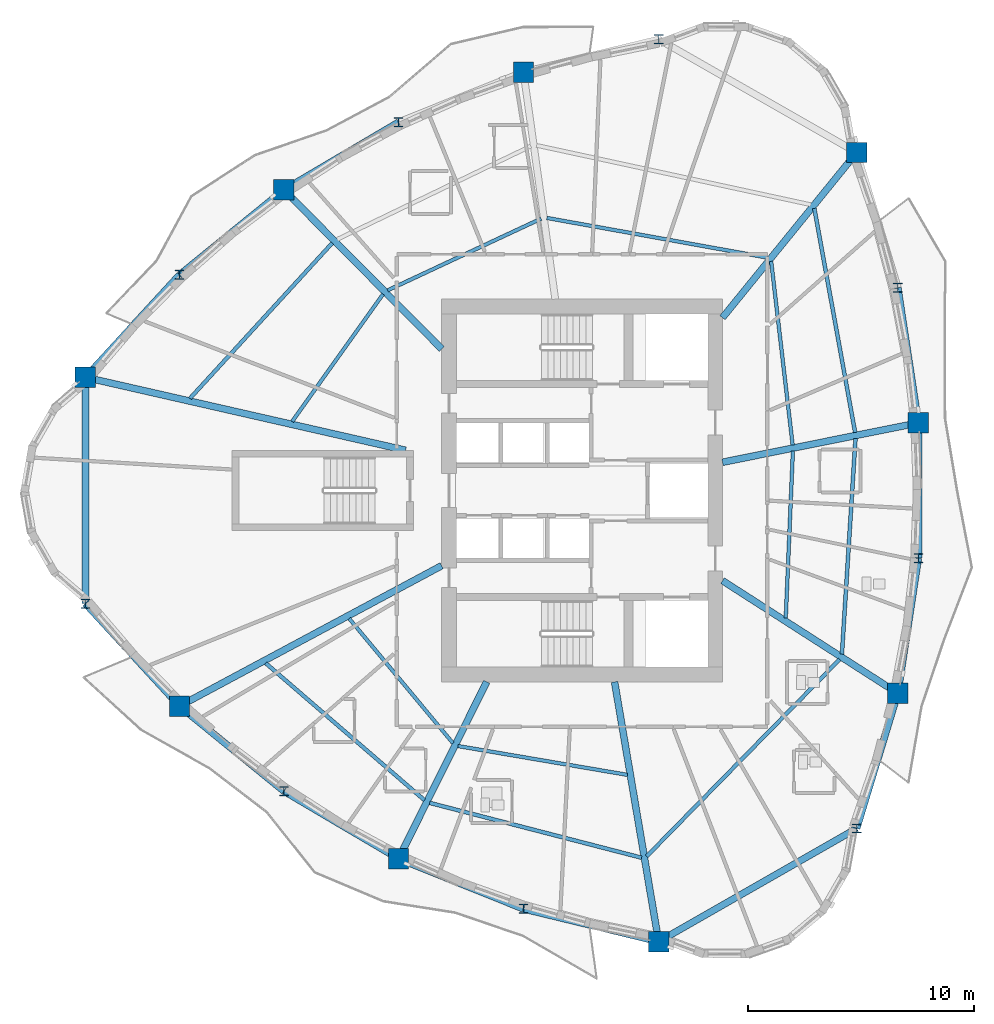
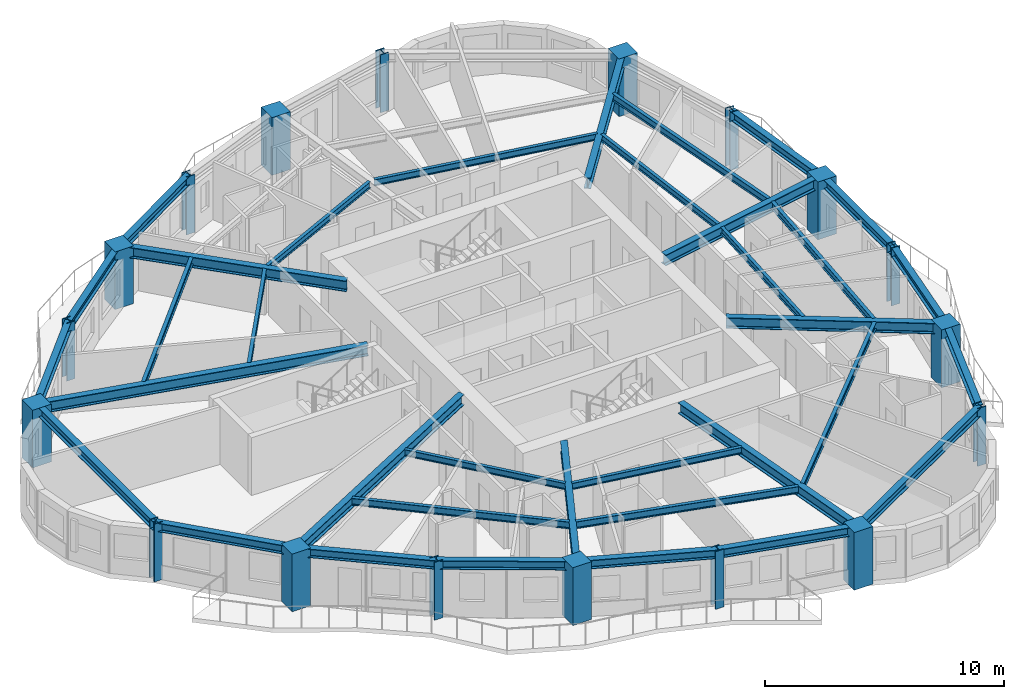
# One storey, part 1 of 13: 35 beams, 18 columns.
"""IFC4 building model written with IfcOpenShell, lengths in metres."""

from ifc_helpers import new_model, si_unit, direction, frame, origin, origin_2d, place, context, subcontext, project, spatial, rectangle, i_section, extrude, source, transform, mapped, material, material_profile, profile_set, type_object, element, save


model = new_model("IFC4")

# Units and contexts
model_context = context("Model", 3, precision=1e-05, world=origin(), true_north=direction((0.0, 1.0)))
body_context = subcontext(model_context, "Body", "Model", "MODEL_VIEW")
ifc_project = project(units=[si_unit("LENGTHUNIT", "METRE"), si_unit("AREAUNIT", "SQUARE_METRE"), si_unit("VOLUMEUNIT", "CUBIC_METRE"), si_unit("PLANEANGLEUNIT", "RADIAN"), si_unit("MASSUNIT", "GRAM", prefix="KILO")], contexts=[model_context])

# Site, building, storey
site_placement = place(None, origin())
site = spatial("IfcSite", under=ifc_project, at=site_placement, CompositionType="ELEMENT")
building_placement = place(site_placement, origin())
building = spatial("IfcBuilding", under=site, at=building_placement, Name="Qafzar Sky-Pleat Residences", CompositionType="ELEMENT")
storey_placement = place(building_placement, frame((0.0, 0.0, 102.39990234375)))
storey = spatial("IfcBuildingStorey", under=building, at=storey_placement, Name="L30", CompositionType="ELEMENT", Elevation=102.39990234375)

# Columns
ifc_material_1 = material(Name="Concrete C60/75", Category="concrete")
ifc_material_profile_1 = material_profile(ifc_material_1, rectangle(XDim=0.89990234375, YDim=0.89990234375, at=origin_2d()), Name="RC 900x900")
ifc_profile_set_1 = profile_set([ifc_material_profile_1], Name="Concrete C60/75")
column_type_1 = type_object("IfcColumnType", Name="COL-RC-900", PredefinedType="COLUMN", material=ifc_profile_set_1)
shared_shape_1 = source(origin(), body_context, "Body", "SweptSolid", [
    extrude(rectangle(XDim=0.89990234375, YDim=0.89990234375, at=origin_2d()), origin(), (0.0, 0.0, 1.0), 2.9501953125),
])
for number, where, z_axis, x_axis, name in (
    (1, (8.41943359375, 30.996337890625, 0.0), (0.0, 0.0, 1.0), (1.0, 0.0, 0.0), "L30 Perimeter Mega Column 1"),
    (2, (12.57470703125, 16.47998046875, 0.0), (0.0, 0.0, 1.0), (1.0, 0.0, 0.0), "L30 Perimeter Mega Column 3"),
    (3, (22.245849609375, 9.7412109375, 0.0), (0.0, 0.0, 1.0), (1.0, 0.0, 0.0), "L30 Perimeter Mega Column 5"),
    (4, (33.731689453125, 6.080322265625, 0.0), (0.0, 0.0, 1.0), (1.0, 0.0, 0.0), "L30 Perimeter Mega Column 7"),
    (5, (44.292236328125, 17.0458984375, 0.0), (0.0, 0.0, 1.0), (1.0, 0.0, 0.0), "L30 Perimeter Mega Column 9"),
    (6, (45.199462890625, 28.984619140625, 0.0), (0.0, 0.0, 1.0), (1.0, 0.0, 0.0), "L30 Perimeter Mega Column 11"),
    (7, (42.4775390625, 40.92333984375, 0.0), (0.0, 0.0, 1.0), (1.0, 0.0, 0.0), "L30 Perimeter Mega Column 13"),
    (8, (27.761962890625, 44.473876953125, 0.0), (0.0, 0.0, 1.0), (1.0, 0.0, 0.0), "L30 Perimeter Mega Column 15"),
    (9, (17.18359375, 39.274169921875, 0.0), (0.0, 0.0, 1.0), (1.0, 0.0, 0.0), "L30 Perimeter Mega Column 17"),
):
    element("IfcColumn", number, at=place(storey_placement, frame(where, z_axis=z_axis, x_axis=x_axis)), inside=storey, type_object=column_type_1, Name=name, PredefinedType="COLUMN", context=body_context, shape_type="MappedRepresentation", body=[
        mapped(shared_shape_1, transform((0.0, 0.0, 0.0), x_axis=(1.0, 0.0, 0.0), y_axis=(0.0, 1.0, 0.0), z_axis=(0.0, 0.0, 1.0), scale=1.0)),
    ])
ifc_material_2 = material(Name="Steel S460", Category="steel")
ifc_material_profile_2 = material_profile(ifc_material_2, i_section(OverallWidth=0.406005859375, OverallDepth=0.416015625, WebThickness=0.027099609375, FlangeThickness=0.0439453125, FilletRadius=0.014892578125, at=origin_2d()), Name="HD 400x382")
ifc_profile_set_2 = profile_set([ifc_material_profile_2], Name="Steel S460")
column_type_2 = type_object("IfcColumnType", Name="COL-STL-HD382", PredefinedType="PILASTER", material=ifc_profile_set_2)
shared_shape_2 = source(origin(), body_context, "Body", "SweptSolid", [
    extrude(i_section(OverallWidth=0.406005859375, OverallDepth=0.416015625, WebThickness=0.027099609375, FlangeThickness=0.0439453125, FilletRadius=0.014892578125, at=origin_2d()), origin(), (0.0, 0.0, 1.0), 2.9501953125),
])
for number, where, z_axis, x_axis, name in (
    (10, (8.41943359375, 21.003662109375, 0.0), (0.0, 0.0, 1.0), (1.0, 0.0, 0.0), "L30 Perimeter Mega Column 2"),
    (11, (17.18359375, 12.725830078125, 0.0), (0.0, 0.0, 1.0), (1.0, 0.0, 0.0), "L30 Perimeter Mega Column 4"),
    (12, (27.761962890625, 7.526123046875, 0.0), (0.0, 0.0, 1.0), (1.0, 0.0, 0.0), "L30 Perimeter Mega Column 6"),
    (13, (42.4775390625, 11.07666015625, 0.0), (0.0, 0.0, 1.0), (1.0, 0.0, 0.0), "L30 Perimeter Mega Column 8"),
    (14, (45.199462890625, 23.015380859375, 0.0), (0.0, 0.0, 1.0), (1.0, 0.0, 0.0), "L30 Perimeter Mega Column 10"),
    (15, (44.292236328125, 34.9541015625, 0.0), (0.0, 0.0, 1.0), (1.0, 0.0, 0.0), "L30 Perimeter Mega Column 12"),
    (16, (33.731689453125, 45.919677734375, 0.0), (0.0, 0.0, 1.0), (1.0, 0.0, 0.0), "L30 Perimeter Mega Column 14"),
    (17, (22.245849609375, 42.2587890625, 0.0), (0.0, 0.0, 1.0), (1.0, 0.0, 0.0), "L30 Perimeter Mega Column 16"),
    (18, (12.57470703125, 35.52001953125, 0.0), (0.0, 0.0, 1.0), (1.0, 0.0, 0.0), "L30 Perimeter Mega Column 18"),
):
    element("IfcColumn", number, at=place(storey_placement, frame(where, z_axis=z_axis, x_axis=x_axis)), inside=storey, type_object=column_type_2, Name=name, PredefinedType="PILASTER", context=body_context, shape_type="MappedRepresentation", body=[
        mapped(shared_shape_2, transform((0.0, 0.0, 0.0), x_axis=(1.0, 0.0, 0.0), y_axis=(0.0, 1.0, 0.0), z_axis=(0.0, 0.0, 1.0), scale=1.0)),
    ])

# Beams
ifc_material_3 = material(Name="Steel S355", Category="steel")
ifc_material_profile_3 = material_profile(ifc_material_3, i_section(OverallWidth=0.300048828125, OverallDepth=0.449951171875, WebThickness=0.013916015625, FlangeThickness=0.02587890625, FilletRadius=0.027099609375, at=origin_2d()), Name="HEB 450")
ifc_profile_set_3 = profile_set([ifc_material_profile_3], Name="Steel S355")
beam_type_1 = type_object("IfcBeamType", Name="BM-SPAN-HEB450", PredefinedType="SPANDREL", material=ifc_profile_set_3)
shared_shape_3 = source(origin(), body_context, "Body", "SweptSolid", [
    extrude(i_section(OverallWidth=0.300048828125, OverallDepth=0.449951171875, WebThickness=0.013916015625, FlangeThickness=0.02587890625, FilletRadius=0.027099609375, at=origin_2d()), origin(), (0.0, 0.0, 1.0), 9.99267578125),
])
beam_1_placement = place(storey_placement, frame((8.41943359375, 30.996337890625, 2.72314453125), z_axis=(0.0, -1.0, 0.0), x_axis=(1.0, 0.0, 0.0)))
element("IfcBeam", 19, at=beam_1_placement, inside=storey, type_object=beam_type_1, Name="L30 Perimeter Spandrel Beam 1", PredefinedType="SPANDREL", context=body_context, shape_type="MappedRepresentation", body=[
    mapped(shared_shape_3, transform((0.0, 0.0, 0.0), x_axis=(1.0, 0.0, 0.0), y_axis=(0.0, 1.0, 0.0), z_axis=(0.0, 0.0, 1.0), scale=1.0)),
])
shared_shape_4 = source(origin(), body_context, "Body", "SweptSolid", [
    extrude(i_section(OverallWidth=0.300048828125, OverallDepth=0.449951171875, WebThickness=0.013916015625, FlangeThickness=0.02587890625, FilletRadius=0.027099609375, at=origin_2d()), origin(), (0.0, 0.0, 1.0), 6.142578125),
])
for number, where, z_axis, x_axis, name in (
    (20, (8.41943359375, 21.003662109375, 2.72314453125), (0.676482000966, -0.736459165446, 0.0), (0.736459165446, 0.676482000966, 0.0), "L30 Perimeter Spandrel Beam 2"),
    (21, (12.57470703125, 35.52001953125, 2.72314453125), (-0.676482000966, -0.736459165446, 0.0), (0.736459165446, -0.676482000966, 0.0), "L30 Perimeter Spandrel Beam 18"),
):
    element("IfcBeam", number, at=place(storey_placement, frame(where, z_axis=z_axis, x_axis=x_axis)), inside=storey, type_object=beam_type_1, Name=name, PredefinedType="SPANDREL", context=body_context, shape_type="MappedRepresentation", body=[
        mapped(shared_shape_4, transform((0.0, 0.0, 0.0), x_axis=(1.0, 0.0, 0.0), y_axis=(0.0, 1.0, 0.0), z_axis=(0.0, 0.0, 1.0), scale=1.0)),
    ])
shared_shape_5 = source(origin(), body_context, "Body", "SweptSolid", [
    extrude(i_section(OverallWidth=0.300048828125, OverallDepth=0.449951171875, WebThickness=0.013916015625, FlangeThickness=0.02587890625, FilletRadius=0.027099609375, at=origin_2d()), origin(), (0.0, 0.0, 1.0), 5.9443359375),
])
for number, where, z_axis, x_axis, name in (
    (22, (12.57470703125, 16.47998046875, 2.72314453125), (0.775337026336, -0.631547698589, 0.0), (0.631547698589, 0.775337026336, 0.0), "L30 Perimeter Spandrel Beam 3"),
    (23, (22.245849609375, 9.7412109375, 2.72314453125), (0.927974486614, -0.372643733604, 0.0), (0.372643733604, 0.927974486614, 0.0), "L30 Perimeter Spandrel Beam 5"),
    (24, (17.18359375, 39.274169921875, 2.72314453125), (-0.775337026336, -0.631547698589, 0.0), (0.631547698589, -0.775337026336, 0.0), "L30 Perimeter Spandrel Beam 17"),
):
    element("IfcBeam", number, at=place(storey_placement, frame(where, z_axis=z_axis, x_axis=x_axis)), inside=storey, type_object=beam_type_1, Name=name, PredefinedType="SPANDREL", context=body_context, shape_type="MappedRepresentation", body=[
        mapped(shared_shape_5, transform((0.0, 0.0, 0.0), x_axis=(1.0, 0.0, 0.0), y_axis=(0.0, 1.0, 0.0), z_axis=(0.0, 0.0, 1.0), scale=1.0)),
    ])
shared_shape_6 = source(origin(), body_context, "Body", "SweptSolid", [
    extrude(i_section(OverallWidth=0.300048828125, OverallDepth=0.449951171875, WebThickness=0.013916015625, FlangeThickness=0.02587890625, FilletRadius=0.027099609375, at=origin_2d()), origin(), (0.0, 0.0, 1.0), 5.876708984375),
])
for number, where, z_axis, x_axis, name in (
    (25, (17.18359375, 12.725830078125, 2.72314453125), (0.861426491519, -0.507882269536, 0.0), (0.507882269536, 0.861426491519, 0.0), "L30 Perimeter Spandrel Beam 4"),
    (26, (22.245849609375, 42.2587890625, 2.72314453125), (-0.861426491519, -0.507882269536, 0.0), (0.507882269536, -0.861426491519, 0.0), "L30 Perimeter Spandrel Beam 16"),
):
    element("IfcBeam", number, at=place(storey_placement, frame(where, z_axis=z_axis, x_axis=x_axis)), inside=storey, type_object=beam_type_1, Name=name, PredefinedType="SPANDREL", context=body_context, shape_type="MappedRepresentation", body=[
        mapped(shared_shape_6, transform((0.0, 0.0, 0.0), x_axis=(1.0, 0.0, 0.0), y_axis=(0.0, 1.0, 0.0), z_axis=(0.0, 0.0, 1.0), scale=1.0)),
    ])
shared_shape_7 = source(origin(), body_context, "Body", "SweptSolid", [
    extrude(i_section(OverallWidth=0.300048828125, OverallDepth=0.449951171875, WebThickness=0.013916015625, FlangeThickness=0.02587890625, FilletRadius=0.027099609375, at=origin_2d()), origin(), (0.0, 0.0, 1.0), 6.142333984375),
])
beam_2_placement = place(storey_placement, frame((27.761962890625, 7.526123046875, 2.72314453125), z_axis=(0.971902480603, -0.235383874126, 0.0), x_axis=(0.235383874126, 0.971902480603, 0.0)))
element("IfcBeam", 27, at=beam_2_placement, inside=storey, type_object=beam_type_1, Name="L30 Perimeter Spandrel Beam 6", PredefinedType="SPANDREL", context=body_context, shape_type="MappedRepresentation", body=[
    mapped(shared_shape_7, transform((0.0, 0.0, 0.0), x_axis=(1.0, 0.0, 0.0), y_axis=(0.0, 1.0, 0.0), z_axis=(0.0, 0.0, 1.0), scale=1.0)),
])
shared_shape_8 = source(origin(), body_context, "Body", "SweptSolid", [
    extrude(i_section(OverallWidth=0.300048828125, OverallDepth=0.449951171875, WebThickness=0.013916015625, FlangeThickness=0.02587890625, FilletRadius=0.027099609375, at=origin_2d()), origin(), (0.0, 0.0, 1.0), 10.072509765625),
])
beam_3_placement = place(storey_placement, frame((33.731689453125, 6.080322265625, 2.72314453125), z_axis=(0.868298326114, 0.496042353905, 0.0), x_axis=(-0.496042353905, 0.868298326114, 0.0)))
element("IfcBeam", 28, at=beam_3_placement, inside=storey, type_object=beam_type_1, Name="L30 Perimeter Spandrel Beam 7", PredefinedType="SPANDREL", context=body_context, shape_type="MappedRepresentation", body=[
    mapped(shared_shape_8, transform((0.0, 0.0, 0.0), x_axis=(1.0, 0.0, 0.0), y_axis=(0.0, 1.0, 0.0), z_axis=(0.0, 0.0, 1.0), scale=1.0)),
])
shared_shape_9 = source(origin(), body_context, "Body", "SweptSolid", [
    extrude(i_section(OverallWidth=0.300048828125, OverallDepth=0.449951171875, WebThickness=0.013916015625, FlangeThickness=0.02587890625, FilletRadius=0.027099609375, at=origin_2d()), origin(), (0.0, 0.0, 1.0), 6.239013671875),
])
beam_4_placement = place(storey_placement, frame((42.4775390625, 11.07666015625, 2.72314453125), z_axis=(0.290864189028, 0.956764351103, 0.0), x_axis=(-0.956764351103, 0.290864189028, 0.0)))
element("IfcBeam", 29, at=beam_4_placement, inside=storey, type_object=beam_type_1, Name="L30 Perimeter Spandrel Beam 8", PredefinedType="SPANDREL", context=body_context, shape_type="MappedRepresentation", body=[
    mapped(shared_shape_9, transform((0.0, 0.0, 0.0), x_axis=(1.0, 0.0, 0.0), y_axis=(0.0, 1.0, 0.0), z_axis=(0.0, 0.0, 1.0), scale=1.0)),
])
shared_shape_10 = source(origin(), body_context, "Body", "SweptSolid", [
    extrude(i_section(OverallWidth=0.300048828125, OverallDepth=0.449951171875, WebThickness=0.013916015625, FlangeThickness=0.02587890625, FilletRadius=0.027099609375, at=origin_2d()), origin(), (0.0, 0.0, 1.0), 6.0380859375),
])
for number, where, z_axis, x_axis, name in (
    (30, (44.292236328125, 17.0458984375, 2.72314453125), (0.150252132609, 0.988647711092, 0.0), (-0.988647711092, 0.150252132609, 0.0), "L30 Perimeter Spandrel Beam 9"),
    (31, (45.199462890625, 28.984619140625, 2.72314453125), (-0.150252132609, 0.988647711092, 0.0), (-0.988647711092, -0.150252132609, 0.0), "L30 Perimeter Spandrel Beam 11"),
):
    element("IfcBeam", number, at=place(storey_placement, frame(where, z_axis=z_axis, x_axis=x_axis)), inside=storey, type_object=beam_type_1, Name=name, PredefinedType="SPANDREL", context=body_context, shape_type="MappedRepresentation", body=[
        mapped(shared_shape_10, transform((0.0, 0.0, 0.0), x_axis=(1.0, 0.0, 0.0), y_axis=(0.0, 1.0, 0.0), z_axis=(0.0, 0.0, 1.0), scale=1.0)),
    ])
shared_shape_11 = source(origin(), body_context, "Body", "SweptSolid", [
    extrude(i_section(OverallWidth=0.300048828125, OverallDepth=0.449951171875, WebThickness=0.013916015625, FlangeThickness=0.02587890625, FilletRadius=0.027099609375, at=origin_2d()), origin(), (0.0, 0.0, 1.0), 5.96923828125),
])
beam_5_placement = place(storey_placement, frame((45.199462890625, 23.015380859375, 2.72314453125), z_axis=(0.0, 1.0, 0.0), x_axis=(-1.0, 0.0, 0.0)))
element("IfcBeam", 32, at=beam_5_placement, inside=storey, type_object=beam_type_1, Name="L30 Perimeter Spandrel Beam 10", PredefinedType="SPANDREL", context=body_context, shape_type="MappedRepresentation", body=[
    mapped(shared_shape_11, transform((0.0, 0.0, 0.0), x_axis=(1.0, 0.0, 0.0), y_axis=(0.0, 1.0, 0.0), z_axis=(0.0, 0.0, 1.0), scale=1.0)),
])
ifc_material_profile_4 = material_profile(ifc_material_3, i_section(OverallWidth=0.300048828125, OverallDepth=0.550048828125, WebThickness=0.014892578125, FlangeThickness=0.029052734375, FilletRadius=0.027099609375, at=origin_2d()), Name="HEB 550")
ifc_profile_set_4 = profile_set([ifc_material_profile_4], Name="Steel S355")
beam_type_2 = type_object("IfcBeamType", Name="BM-GIRD-HEB550", PredefinedType="BEAM", material=ifc_profile_set_4)
shared_shape_12 = source(origin(), body_context, "Body", "SweptSolid", [
    extrude(i_section(OverallWidth=0.300048828125, OverallDepth=0.550048828125, WebThickness=0.014892578125, FlangeThickness=0.029052734375, FilletRadius=0.027099609375, at=origin_2d()), origin(), (0.0, 0.0, 1.0), 14.501708984375),
])
beam_6_placement = place(storey_placement, frame((8.41943359375, 30.996337890625, 2.673095703125), z_axis=(0.975014473229, -0.22214134463, 0.0), x_axis=(0.22214134463, 0.975014473229, 0.0)))
element("IfcBeam", 33, at=beam_6_placement, inside=storey, type_object=beam_type_2, Name="L30 Radial Floor Girder 1", PredefinedType="BEAM", context=body_context, shape_type="MappedRepresentation", body=[
    mapped(shared_shape_12, transform((0.0, 0.0, 0.0), x_axis=(1.0, 0.0, 0.0), y_axis=(0.0, 1.0, 0.0), z_axis=(0.0, 0.0, 1.0), scale=1.0)),
])
shared_shape_13 = source(origin(), body_context, "Body", "SweptSolid", [
    extrude(i_section(OverallWidth=0.300048828125, OverallDepth=0.550048828125, WebThickness=0.014892578125, FlangeThickness=0.029052734375, FilletRadius=0.027099609375, at=origin_2d()), origin(), (0.0, 0.0, 1.0), 13.130859375),
])
beam_7_placement = place(storey_placement, frame((12.57470703125, 16.47998046875, 2.673095703125), z_axis=(0.881528612893, 0.472130601265, 0.0), x_axis=(-0.472130601265, 0.881528612893, 0.0)))
element("IfcBeam", 34, at=beam_7_placement, inside=storey, type_object=beam_type_2, Name="L30 Radial Floor Girder 3", PredefinedType="BEAM", context=body_context, shape_type="MappedRepresentation", body=[
    mapped(shared_shape_13, transform((0.0, 0.0, 0.0), x_axis=(1.0, 0.0, 0.0), y_axis=(0.0, 1.0, 0.0), z_axis=(0.0, 0.0, 1.0), scale=1.0)),
])
shared_shape_14 = source(origin(), body_context, "Body", "SweptSolid", [
    extrude(i_section(OverallWidth=0.300048828125, OverallDepth=0.550048828125, WebThickness=0.014892578125, FlangeThickness=0.029052734375, FilletRadius=0.027099609375, at=origin_2d()), origin(), (0.0, 0.0, 1.0), 8.72509765625),
])
beam_8_placement = place(storey_placement, frame((22.245849609375, 9.7412109375, 2.673095703125), z_axis=(0.446105194509, 0.894980533549, 0.0), x_axis=(-0.894980533549, 0.446105194509, 0.0)))
element("IfcBeam", 35, at=beam_8_placement, inside=storey, type_object=beam_type_2, Name="L30 Radial Floor Girder 5", PredefinedType="BEAM", context=body_context, shape_type="MappedRepresentation", body=[
    mapped(shared_shape_14, transform((0.0, 0.0, 0.0), x_axis=(1.0, 0.0, 0.0), y_axis=(0.0, 1.0, 0.0), z_axis=(0.0, 0.0, 1.0), scale=1.0)),
])
shared_shape_15 = source(origin(), body_context, "Body", "SweptSolid", [
    extrude(i_section(OverallWidth=0.300048828125, OverallDepth=0.550048828125, WebThickness=0.014892578125, FlangeThickness=0.029052734375, FilletRadius=0.027099609375, at=origin_2d()), origin(), (0.0, 0.0, 1.0), 11.6337890625),
])
beam_9_placement = place(storey_placement, frame((33.731689453125, 6.080322265625, 2.673095703125), z_axis=(-0.167358895541, 0.985896039186, 0.0), x_axis=(-0.985896039186, -0.167358895541, 0.0)))
element("IfcBeam", 36, at=beam_9_placement, inside=storey, type_object=beam_type_2, Name="L30 Radial Floor Girder 7", PredefinedType="BEAM", context=body_context, shape_type="MappedRepresentation", body=[
    mapped(shared_shape_15, transform((0.0, 0.0, 0.0), x_axis=(1.0, 0.0, 0.0), y_axis=(0.0, 1.0, 0.0), z_axis=(0.0, 0.0, 1.0), scale=1.0)),
])
shared_shape_16 = source(origin(), body_context, "Body", "SweptSolid", [
    extrude(i_section(OverallWidth=0.300048828125, OverallDepth=0.550048828125, WebThickness=0.014892578125, FlangeThickness=0.029052734375, FilletRadius=0.027099609375, at=origin_2d()), origin(), (0.0, 0.0, 1.0), 9.201416015625),
])
beam_10_placement = place(storey_placement, frame((44.292236328125, 17.0458984375, 2.673095703125), z_axis=(-0.841411158947, 0.540395467781, 0.0), x_axis=(-0.540395467781, -0.841411158947, 0.0)))
element("IfcBeam", 37, at=beam_10_placement, inside=storey, type_object=beam_type_2, Name="L30 Radial Floor Girder 9", PredefinedType="BEAM", context=body_context, shape_type="MappedRepresentation", body=[
    mapped(shared_shape_16, transform((0.0, 0.0, 0.0), x_axis=(1.0, 0.0, 0.0), y_axis=(0.0, 1.0, 0.0), z_axis=(0.0, 0.0, 1.0), scale=1.0)),
])
shared_shape_17 = source(origin(), body_context, "Body", "SweptSolid", [
    extrude(i_section(OverallWidth=0.300048828125, OverallDepth=0.550048828125, WebThickness=0.014892578125, FlangeThickness=0.029052734375, FilletRadius=0.027099609375, at=origin_2d()), origin(), (0.0, 0.0, 1.0), 8.822509765625),
])
beam_11_placement = place(storey_placement, frame((45.199462890625, 28.984619140625, 2.673095703125), z_axis=(-0.980391835396, -0.197057984076, 0.0), x_axis=(0.197057984076, -0.980391835396, 0.0)))
element("IfcBeam", 38, at=beam_11_placement, inside=storey, type_object=beam_type_2, Name="L30 Radial Floor Girder 11", PredefinedType="BEAM", context=body_context, shape_type="MappedRepresentation", body=[
    mapped(shared_shape_17, transform((0.0, 0.0, 0.0), x_axis=(1.0, 0.0, 0.0), y_axis=(0.0, 1.0, 0.0), z_axis=(0.0, 0.0, 1.0), scale=1.0)),
])
shared_shape_18 = source(origin(), body_context, "Body", "SweptSolid", [
    extrude(i_section(OverallWidth=0.300048828125, OverallDepth=0.550048828125, WebThickness=0.014892578125, FlangeThickness=0.029052734375, FilletRadius=0.027099609375, at=origin_2d()), origin(), (0.0, 0.0, 1.0), 9.398681640625),
])
beam_12_placement = place(storey_placement, frame((42.4775390625, 40.92333984375, 2.673095703125), z_axis=(-0.630666943609, -0.776053610415, 0.0), x_axis=(0.776053610415, -0.630666943609, 0.0)))
element("IfcBeam", 39, at=beam_12_placement, inside=storey, type_object=beam_type_2, Name="L30 Radial Floor Girder 13", PredefinedType="BEAM", context=body_context, shape_type="MappedRepresentation", body=[
    mapped(shared_shape_18, transform((0.0, 0.0, 0.0), x_axis=(1.0, 0.0, 0.0), y_axis=(0.0, 1.0, 0.0), z_axis=(0.0, 0.0, 1.0), scale=1.0)),
])
shared_shape_19 = source(origin(), body_context, "Body", "SweptSolid", [
    extrude(i_section(OverallWidth=0.300048828125, OverallDepth=0.550048828125, WebThickness=0.014892578125, FlangeThickness=0.029052734375, FilletRadius=0.027099609375, at=origin_2d()), origin(), (0.0, 0.0, 1.0), 9.892333984375),
])
beam_13_placement = place(storey_placement, frame((17.18359375, 39.274169921875, 2.673095703125), z_axis=(0.704213349063, -0.709988421737, 0.0), x_axis=(0.709988421737, 0.704213349063, 0.0)))
element("IfcBeam", 40, at=beam_13_placement, inside=storey, type_object=beam_type_2, Name="L30 Radial Floor Girder 17", PredefinedType="BEAM", context=body_context, shape_type="MappedRepresentation", body=[
    mapped(shared_shape_19, transform((0.0, 0.0, 0.0), x_axis=(1.0, 0.0, 0.0), y_axis=(0.0, 1.0, 0.0), z_axis=(0.0, 0.0, 1.0), scale=1.0)),
])
ifc_material_profile_5 = material_profile(ifc_material_3, i_section(OverallWidth=0.169921875, OverallDepth=0.360107421875, WebThickness=0.008056640625, FlangeThickness=0.0126953125, FilletRadius=0.01806640625, at=origin_2d()), Name="IPE 360")
ifc_profile_set_5 = profile_set([ifc_material_profile_5], Name="Steel S355")
beam_type_3 = type_object("IfcBeamType", Name="BM-JST-IPE360", PredefinedType="JOIST", material=ifc_profile_set_5)
shared_shape_20 = source(origin(), body_context, "Body", "SweptSolid", [
    extrude(i_section(OverallWidth=0.169921875, OverallDepth=0.360107421875, WebThickness=0.008056640625, FlangeThickness=0.0126953125, FilletRadius=0.01806640625, at=origin_2d()), origin(), (0.0, 0.0, 1.0), 9.256591796875),
])
beam_14_placement = place(storey_placement, frame((16.381103515625, 18.37548828125, 2.76806640625), z_axis=(0.757092779246, -0.653307372998, 0.0), x_axis=(0.653307372998, 0.757092779246, 0.0)))
element("IfcBeam", 41, at=beam_14_placement, inside=storey, type_object=beam_type_3, Name="L30 Outer Secondary Floor Joist 2", PredefinedType="JOIST", context=body_context, shape_type="MappedRepresentation", body=[
    mapped(shared_shape_20, transform((0.0, 0.0, 0.0), x_axis=(1.0, 0.0, 0.0), y_axis=(0.0, 1.0, 0.0), z_axis=(0.0, 0.0, 1.0), scale=1.0)),
])
shared_shape_21 = source(origin(), body_context, "Body", "SweptSolid", [
    extrude(i_section(OverallWidth=0.169921875, OverallDepth=0.360107421875, WebThickness=0.008056640625, FlangeThickness=0.0126953125, FilletRadius=0.01806640625, at=origin_2d()), origin(), (0.0, 0.0, 1.0), 9.664306640625),
])
beam_15_placement = place(storey_placement, frame((23.6220703125, 12.206298828125, 2.76806640625), z_axis=(0.968090929501, -0.250599186385, 0.0), x_axis=(0.250599186385, 0.968090929501, 0.0)))
element("IfcBeam", 42, at=beam_15_placement, inside=storey, type_object=beam_type_3, Name="L30 Outer Secondary Floor Joist 3", PredefinedType="JOIST", context=body_context, shape_type="MappedRepresentation", body=[
    mapped(shared_shape_21, transform((0.0, 0.0, 0.0), x_axis=(1.0, 0.0, 0.0), y_axis=(0.0, 1.0, 0.0), z_axis=(0.0, 0.0, 1.0), scale=1.0)),
])
shared_shape_22 = source(origin(), body_context, "Body", "SweptSolid", [
    extrude(i_section(OverallWidth=0.169921875, OverallDepth=0.360107421875, WebThickness=0.008056640625, FlangeThickness=0.0126953125, FilletRadius=0.01806640625, at=origin_2d()), origin(), (0.0, 0.0, 1.0), 12.17041015625),
])
beam_16_placement = place(storey_placement, frame((33.203125, 9.84716796875, 2.76806640625), z_axis=(0.699817856414, 0.714321333746, 0.0), x_axis=(-0.714321333746, 0.699817856414, 0.0)))
element("IfcBeam", 43, at=beam_16_placement, inside=storey, type_object=beam_type_3, Name="L30 Outer Secondary Floor Joist 4", PredefinedType="JOIST", context=body_context, shape_type="MappedRepresentation", body=[
    mapped(shared_shape_22, transform((0.0, 0.0, 0.0), x_axis=(1.0, 0.0, 0.0), y_axis=(0.0, 1.0, 0.0), z_axis=(0.0, 0.0, 1.0), scale=1.0)),
])
shared_shape_23 = source(origin(), body_context, "Body", "SweptSolid", [
    extrude(i_section(OverallWidth=0.169921875, OverallDepth=0.360107421875, WebThickness=0.008056640625, FlangeThickness=0.0126953125, FilletRadius=0.01806640625, at=origin_2d()), origin(), (0.0, 0.0, 1.0), 9.540771484375),
])
beam_17_placement = place(storey_placement, frame((41.8232421875, 18.771728515625, 2.76806640625), z_axis=(0.062872135971, 0.998021590207, 0.0), x_axis=(-0.998021590207, 0.062872135971, 0.0)))
element("IfcBeam", 44, at=beam_17_placement, inside=storey, type_object=beam_type_3, Name="L30 Outer Secondary Floor Joist 5", PredefinedType="JOIST", context=body_context, shape_type="MappedRepresentation", body=[
    mapped(shared_shape_23, transform((0.0, 0.0, 0.0), x_axis=(1.0, 0.0, 0.0), y_axis=(0.0, 1.0, 0.0), z_axis=(0.0, 0.0, 1.0), scale=1.0)),
])
shared_shape_24 = source(origin(), body_context, "Body", "SweptSolid", [
    extrude(i_section(OverallWidth=0.169921875, OverallDepth=0.360107421875, WebThickness=0.008056640625, FlangeThickness=0.0126953125, FilletRadius=0.01806640625, at=origin_2d()), origin(), (0.0, 0.0, 1.0), 10.057861328125),
])
beam_18_placement = place(storey_placement, frame((42.407470703125, 28.561279296875, 2.76806640625), z_axis=(-0.179212248555, 0.98381043396, 0.0), x_axis=(-0.98381043396, -0.179212248555, 0.0)))
element("IfcBeam", 45, at=beam_18_placement, inside=storey, type_object=beam_type_3, Name="L30 Outer Secondary Floor Joist 6", PredefinedType="JOIST", context=body_context, shape_type="MappedRepresentation", body=[
    mapped(shared_shape_24, transform((0.0, 0.0, 0.0), x_axis=(1.0, 0.0, 0.0), y_axis=(0.0, 1.0, 0.0), z_axis=(0.0, 0.0, 1.0), scale=1.0)),
])
shared_shape_25 = source(origin(), body_context, "Body", "SweptSolid", [
    extrude(i_section(OverallWidth=0.169921875, OverallDepth=0.360107421875, WebThickness=0.008056640625, FlangeThickness=0.0126953125, FilletRadius=0.01806640625, at=origin_2d()), origin(), (0.0, 0.0, 1.0), 9.30615234375),
])
beam_19_placement = place(storey_placement, frame((19.321533203125, 36.927001953125, 2.76806640625), z_axis=(-0.675485809651, -0.737372986324, 0.0), x_axis=(0.737372986324, -0.675485809651, 0.0)))
element("IfcBeam", 46, at=beam_19_placement, inside=storey, type_object=beam_type_3, Name="L30 Outer Secondary Floor Joist 9", PredefinedType="JOIST", context=body_context, shape_type="MappedRepresentation", body=[
    mapped(shared_shape_25, transform((0.0, 0.0, 0.0), x_axis=(1.0, 0.0, 0.0), y_axis=(0.0, 1.0, 0.0), z_axis=(0.0, 0.0, 1.0), scale=1.0)),
])
ifc_material_profile_6 = material_profile(ifc_material_3, i_section(OverallWidth=0.159912109375, OverallDepth=0.330078125, WebThickness=0.007568359375, FlangeThickness=0.011474609375, FilletRadius=0.01806640625, at=origin_2d()), Name="IPE 330")
ifc_profile_set_6 = profile_set([ifc_material_profile_6], Name="Steel S355")
beam_type_4 = type_object("IfcBeamType", Name="BM-JST-IPE330", PredefinedType="JOIST", material=ifc_profile_set_6)
shared_shape_26 = source(origin(), body_context, "Body", "SweptSolid", [
    extrude(i_section(OverallWidth=0.159912109375, OverallDepth=0.330078125, WebThickness=0.007568359375, FlangeThickness=0.011474609375, FilletRadius=0.01806640625, at=origin_2d()), origin(), (0.0, 0.0, 1.0), 7.1591796875),
])
beam_20_placement = place(storey_placement, frame((20.0693359375, 20.343994140625, 2.783203125), z_axis=(0.639895882468, -0.76846161882, 0.0), x_axis=(0.76846161882, 0.639895882468, 0.0)))
element("IfcBeam", 47, at=beam_20_placement, inside=storey, type_object=beam_type_4, Name="L30 Inner Secondary Floor Joist 2", PredefinedType="JOIST", context=body_context, shape_type="MappedRepresentation", body=[
    mapped(shared_shape_26, transform((0.0, 0.0, 0.0), x_axis=(1.0, 0.0, 0.0), y_axis=(0.0, 1.0, 0.0), z_axis=(0.0, 0.0, 1.0), scale=1.0)),
])
shared_shape_27 = source(origin(), body_context, "Body", "SweptSolid", [
    extrude(i_section(OverallWidth=0.159912109375, OverallDepth=0.330078125, WebThickness=0.007568359375, FlangeThickness=0.011474609375, FilletRadius=0.01806640625, at=origin_2d()), origin(), (0.0, 0.0, 1.0), 7.58984375),
])
beam_21_placement = place(storey_placement, frame((24.8701171875, 14.71630859375, 2.783203125), z_axis=(0.985840748867, -0.167684280339, 0.0), x_axis=(0.167684280339, 0.985840748867, 0.0)))
element("IfcBeam", 48, at=beam_21_placement, inside=storey, type_object=beam_type_4, Name="L30 Inner Secondary Floor Joist 3", PredefinedType="JOIST", context=body_context, shape_type="MappedRepresentation", body=[
    mapped(shared_shape_27, transform((0.0, 0.0, 0.0), x_axis=(1.0, 0.0, 0.0), y_axis=(0.0, 1.0, 0.0), z_axis=(0.0, 0.0, 1.0), scale=1.0)),
])
shared_shape_28 = source(origin(), body_context, "Body", "SweptSolid", [
    extrude(i_section(OverallWidth=0.159912109375, OverallDepth=0.330078125, WebThickness=0.007568359375, FlangeThickness=0.011474609375, FilletRadius=0.01806640625, at=origin_2d()), origin(), (0.0, 0.0, 1.0), 7.381103515625),
])
beam_22_placement = place(storey_placement, frame((39.343017578125, 20.363037109375, 2.783203125), z_axis=(0.042702281194, 0.999087841574, 0.0), x_axis=(-0.999087841574, 0.042702281194, 0.0)))
element("IfcBeam", 49, at=beam_22_placement, inside=storey, type_object=beam_type_4, Name="L30 Inner Secondary Floor Joist 5", PredefinedType="JOIST", context=body_context, shape_type="MappedRepresentation", body=[
    mapped(shared_shape_28, transform((0.0, 0.0, 0.0), x_axis=(1.0, 0.0, 0.0), y_axis=(0.0, 1.0, 0.0), z_axis=(0.0, 0.0, 1.0), scale=1.0)),
])
shared_shape_29 = source(origin(), body_context, "Body", "SweptSolid", [
    extrude(i_section(OverallWidth=0.159912109375, OverallDepth=0.330078125, WebThickness=0.007568359375, FlangeThickness=0.011474609375, FilletRadius=0.01806640625, at=origin_2d()), origin(), (0.0, 0.0, 1.0), 8.170166015625),
])
beam_23_placement = place(storey_placement, frame((39.648193359375, 28.006103515625, 2.783203125), z_axis=(-0.116090499601, 0.993238639956, 0.0), x_axis=(-0.993238639956, -0.116090499601, 0.0)))
element("IfcBeam", 50, at=beam_23_placement, inside=storey, type_object=beam_type_4, Name="L30 Inner Secondary Floor Joist 6", PredefinedType="JOIST", context=body_context, shape_type="MappedRepresentation", body=[
    mapped(shared_shape_29, transform((0.0, 0.0, 0.0), x_axis=(1.0, 0.0, 0.0), y_axis=(0.0, 1.0, 0.0), z_axis=(0.0, 0.0, 1.0), scale=1.0)),
])
shared_shape_30 = source(origin(), body_context, "Body", "SweptSolid", [
    extrude(i_section(OverallWidth=0.159912109375, OverallDepth=0.330078125, WebThickness=0.007568359375, FlangeThickness=0.011474609375, FilletRadius=0.01806640625, at=origin_2d()), origin(), (0.0, 0.0, 1.0), 9.9140625),
])
beam_24_placement = place(storey_placement, frame((38.551025390625, 36.279052734375, 2.783203125), z_axis=(-0.984195686965, 0.17708430128, 0.0), x_axis=(-0.17708430128, -0.984195686965, 0.0)))
element("IfcBeam", 51, at=beam_24_placement, inside=storey, type_object=beam_type_4, Name="L30 Inner Secondary Floor Joist 7", PredefinedType="JOIST", context=body_context, shape_type="MappedRepresentation", body=[
    mapped(shared_shape_30, transform((0.0, 0.0, 0.0), x_axis=(1.0, 0.0, 0.0), y_axis=(0.0, 1.0, 0.0), z_axis=(0.0, 0.0, 1.0), scale=1.0)),
])
shared_shape_31 = source(origin(), body_context, "Body", "SweptSolid", [
    extrude(i_section(OverallWidth=0.159912109375, OverallDepth=0.330078125, WebThickness=0.007568359375, FlangeThickness=0.011474609375, FilletRadius=0.01806640625, at=origin_2d()), origin(), (0.0, 0.0, 1.0), 7.47705078125),
])
beam_25_placement = place(storey_placement, frame((28.538330078125, 38.00146484375, 2.783203125), z_axis=(-0.90597197859, -0.42333765957, 0.0), x_axis=(0.42333765957, -0.90597197859, 0.0)))
element("IfcBeam", 52, at=beam_25_placement, inside=storey, type_object=beam_type_4, Name="L30 Inner Secondary Floor Joist 8", PredefinedType="JOIST", context=body_context, shape_type="MappedRepresentation", body=[
    mapped(shared_shape_31, transform((0.0, 0.0, 0.0), x_axis=(1.0, 0.0, 0.0), y_axis=(0.0, 1.0, 0.0), z_axis=(0.0, 0.0, 1.0), scale=1.0)),
])
shared_shape_32 = source(origin(), body_context, "Body", "SweptSolid", [
    extrude(i_section(OverallWidth=0.159912109375, OverallDepth=0.330078125, WebThickness=0.007568359375, FlangeThickness=0.011474609375, FilletRadius=0.01806640625, at=origin_2d()), origin(), (0.0, 0.0, 1.0), 6.91162109375),
])
beam_26_placement = place(storey_placement, frame((21.563720703125, 34.669189453125, 2.783203125), z_axis=(-0.58113460659, -0.813807452057, 0.0), x_axis=(0.813807452057, -0.58113460659, 0.0)))
element("IfcBeam", 53, at=beam_26_placement, inside=storey, type_object=beam_type_4, Name="L30 Inner Secondary Floor Joist 9", PredefinedType="JOIST", context=body_context, shape_type="MappedRepresentation", body=[
    mapped(shared_shape_32, transform((0.0, 0.0, 0.0), x_axis=(1.0, 0.0, 0.0), y_axis=(0.0, 1.0, 0.0), z_axis=(0.0, 0.0, 1.0), scale=1.0)),
])

save(model, "model.ifc")
